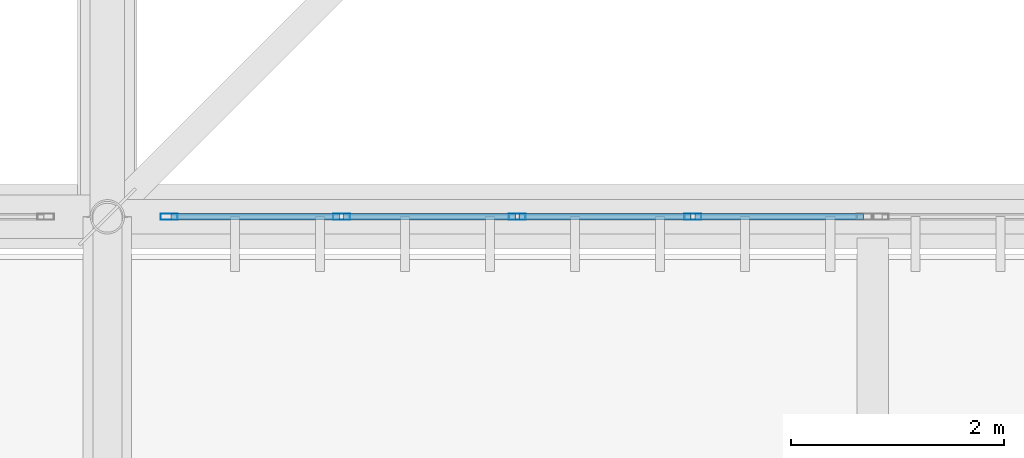
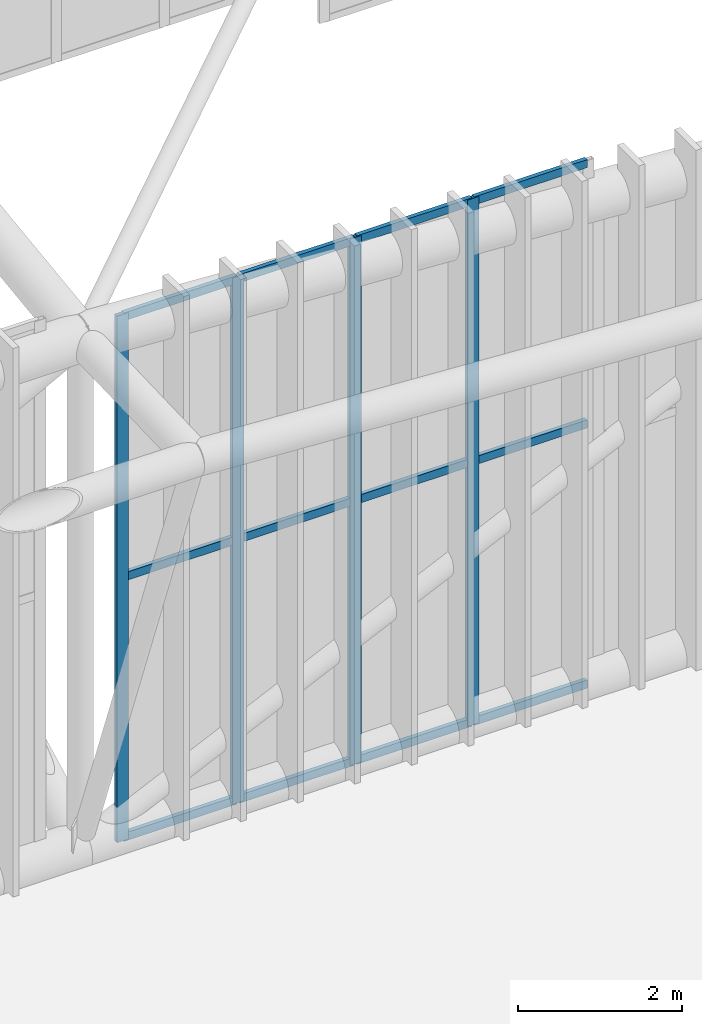
# One storey, part 79 of 397: 16 members, 1 element without a shape of its own.
"""IFC4 building model written with IfcOpenShell, lengths in metres."""

from ifc_helpers import new_model, si_unit, direction, frame, origin, origin_2d, place, context, subcontext, project, spatial, hollow_rectangle, extrude, material, material_profile, profile_set, type_object, element, aggregate, save


model = new_model("IFC4")

# Units and contexts
model_context = context("Model", 3, precision=1e-05, world=origin(), true_north=direction((0.0, 1.0)))
body_context = subcontext(model_context, "Body", "Model", "MODEL_VIEW")
ifc_project = project(units=[si_unit("LENGTHUNIT", "METRE"), si_unit("AREAUNIT", "SQUARE_METRE"), si_unit("VOLUMEUNIT", "CUBIC_METRE"), si_unit("PLANEANGLEUNIT", "RADIAN"), si_unit("MASSUNIT", "GRAM", prefix="KILO")], contexts=[model_context])

# Site, building, storey
site_placement = place(None, origin())
site = spatial("IfcSite", under=ifc_project, at=site_placement, CompositionType="ELEMENT")
building_placement = place(site_placement, origin())
building = spatial("IfcBuilding", under=site, at=building_placement, Name="Qandorah Velis Arena", CompositionType="ELEMENT")
storey_placement = place(building_placement, frame((0.0, 0.0, 27.5)))
storey = spatial("IfcBuildingStorey", under=building, at=storey_placement, Name="RF", CompositionType="ELEMENT", Elevation=27.5)

# Curtain wall, members
ifc_material_1 = material(Name="Solar-control low-E double glazing", Category="glass")
curtain_wall_type = type_object("IfcCurtainWallType", Name="ARC-CW-SYS21", PredefinedType="USERDEFINED", material=ifc_material_1)
curtain_wall_placement = place(storey_placement, origin())
curtain_wall = element("IfcCurtainWall", 1, at=curtain_wall_placement, inside=storey, type_object=curtain_wall_type, Name="Unitised curtain wall CROWN-3-05S1", ObjectType="UNITISED CURTAIN WALL", PredefinedType="USERDEFINED")
ifc_material_2 = material(Name="Champagne-bronze anodized aluminium 6063-T6", Category="aluminium")
ifc_material_profile_1 = material_profile(ifc_material_2, hollow_rectangle(XDim=0.06005859375, YDim=0.159912109375, WallThickness=0.00341796875, at=origin_2d()), Name="ALU MULLION 60x160")
ifc_profile_set_1 = profile_set([ifc_material_profile_1], Name="Champagne-bronze anodized aluminium 6063-T6")
member_type_1 = type_object("IfcMemberType", Name="ARC-CWM-160", PredefinedType="MULLION", material=ifc_profile_set_1)
member_1_placement = place(storey_placement, frame((72.580078125, 14.39990234375, -0.014892578125), z_axis=(0.0, 0.0, 1.0), x_axis=(0.0, 1.0, 0.0)))
member_1 = element("IfcMember", 2, at=member_1_placement, type_object=member_type_1, Name="CW21 mullion 1", PredefinedType="MULLION", context=body_context, shape_type="SweptSolid", body=[
    extrude(hollow_rectangle(XDim=0.06005859375, YDim=0.159912109375, WallThickness=0.00341796875, at=origin_2d()), origin(), (0.0, 0.0, 1.0), 7.826416015625),
])
member_2_placement = place(storey_placement, frame((74.202392578125, 14.39990234375, -0.014892578125), z_axis=(0.0, 0.0, 1.0), x_axis=(0.0, 1.0, 0.0)))
member_2 = element("IfcMember", 3, at=member_2_placement, type_object=member_type_1, Name="CW21 mullion 2", PredefinedType="MULLION", context=body_context, shape_type="SweptSolid", body=[
    extrude(hollow_rectangle(XDim=0.06005859375, YDim=0.159912109375, WallThickness=0.00341796875, at=origin_2d()), origin(), (0.0, 0.0, 1.0), 7.826416015625),
])
member_3_placement = place(storey_placement, frame((75.85498046875, 14.39990234375, -0.014892578125), z_axis=(0.0, 0.0, 1.0), x_axis=(0.0, 1.0, 0.0)))
member_3 = element("IfcMember", 4, at=member_3_placement, type_object=member_type_1, Name="CW21 mullion 3", PredefinedType="MULLION", context=body_context, shape_type="SweptSolid", body=[
    extrude(hollow_rectangle(XDim=0.06005859375, YDim=0.159912109375, WallThickness=0.00341796875, at=origin_2d()), origin(), (0.0, 0.0, 1.0), 7.826416015625),
])
member_4_placement = place(storey_placement, frame((77.507568359375, 14.39990234375, -0.014892578125), z_axis=(0.0, 0.0, 1.0), x_axis=(0.0, 1.0, 0.0)))
member_4 = element("IfcMember", 5, at=member_4_placement, type_object=member_type_1, Name="CW21 mullion 4", PredefinedType="MULLION", context=body_context, shape_type="SweptSolid", body=[
    extrude(hollow_rectangle(XDim=0.06005859375, YDim=0.159912109375, WallThickness=0.00341796875, at=origin_2d()), origin(), (0.0, 0.0, 1.0), 7.826416015625),
])
ifc_material_profile_2 = material_profile(ifc_material_2, hollow_rectangle(XDim=0.06005859375, YDim=0.1201171875, WallThickness=0.0029296875, at=origin_2d()), Name="ALU TRANSOM 60x120")
ifc_profile_set_2 = profile_set([ifc_material_profile_2], Name="Champagne-bronze anodized aluminium 6063-T6")
member_type_2 = type_object("IfcMemberType", Name="ARC-CWT-120", PredefinedType="USERDEFINED", material=ifc_profile_set_2)
member_5_placement = place(storey_placement, frame((72.597900390625, 14.39990234375, 0.030029296875), z_axis=(1.0, 0.0, 0.0), x_axis=(0.0, 1.0, 0.0)))
member_5 = element("IfcMember", 6, at=member_5_placement, type_object=member_type_2, Name="CW21 transom 1.1", ObjectType="TRANSOM", PredefinedType="USERDEFINED", context=body_context, shape_type="SweptSolid", body=[
    extrude(hollow_rectangle(XDim=0.06005859375, YDim=0.1201171875, WallThickness=0.0029296875, at=origin_2d()), origin(), (0.0, 0.0, 1.0), 1.586669921875),
])
member_6_placement = place(storey_placement, frame((72.597900390625, 14.39990234375, 3.898193359375), z_axis=(1.0, 0.0, 0.0), x_axis=(0.0, 1.0, 0.0)))
member_6 = element("IfcMember", 7, at=member_6_placement, type_object=member_type_2, Name="CW21 transom 1.2", ObjectType="TRANSOM", PredefinedType="USERDEFINED", context=body_context, shape_type="SweptSolid", body=[
    extrude(hollow_rectangle(XDim=0.06005859375, YDim=0.1201171875, WallThickness=0.0029296875, at=origin_2d()), origin(), (0.0, 0.0, 1.0), 1.586669921875),
])
member_7_placement = place(storey_placement, frame((72.597900390625, 14.39990234375, 7.7666015625), z_axis=(1.0, 0.0, 0.0), x_axis=(0.0, 1.0, 0.0)))
member_7 = element("IfcMember", 8, at=member_7_placement, type_object=member_type_2, Name="CW21 transom 1.3", ObjectType="TRANSOM", PredefinedType="USERDEFINED", context=body_context, shape_type="SweptSolid", body=[
    extrude(hollow_rectangle(XDim=0.06005859375, YDim=0.1201171875, WallThickness=0.0029296875, at=origin_2d()), origin(), (0.0, 0.0, 1.0), 1.586669921875),
])
member_8_placement = place(storey_placement, frame((74.220458984375, 14.39990234375, 0.030029296875), z_axis=(1.0, 0.0, 0.0), x_axis=(0.0, 1.0, 0.0)))
member_8 = element("IfcMember", 9, at=member_8_placement, type_object=member_type_2, Name="CW21 transom 2.1", ObjectType="TRANSOM", PredefinedType="USERDEFINED", context=body_context, shape_type="SweptSolid", body=[
    extrude(hollow_rectangle(XDim=0.06005859375, YDim=0.1201171875, WallThickness=0.0029296875, at=origin_2d()), origin(), (0.0, 0.0, 1.0), 1.616455078125),
])
member_9_placement = place(storey_placement, frame((74.220458984375, 14.39990234375, 3.898193359375), z_axis=(1.0, 0.0, 0.0), x_axis=(0.0, 1.0, 0.0)))
member_9 = element("IfcMember", 10, at=member_9_placement, type_object=member_type_2, Name="CW21 transom 2.2", ObjectType="TRANSOM", PredefinedType="USERDEFINED", context=body_context, shape_type="SweptSolid", body=[
    extrude(hollow_rectangle(XDim=0.06005859375, YDim=0.1201171875, WallThickness=0.0029296875, at=origin_2d()), origin(), (0.0, 0.0, 1.0), 1.616455078125),
])
member_10_placement = place(storey_placement, frame((74.220458984375, 14.39990234375, 7.7666015625), z_axis=(1.0, 0.0, 0.0), x_axis=(0.0, 1.0, 0.0)))
member_10 = element("IfcMember", 11, at=member_10_placement, type_object=member_type_2, Name="CW21 transom 2.3", ObjectType="TRANSOM", PredefinedType="USERDEFINED", context=body_context, shape_type="SweptSolid", body=[
    extrude(hollow_rectangle(XDim=0.06005859375, YDim=0.1201171875, WallThickness=0.0029296875, at=origin_2d()), origin(), (0.0, 0.0, 1.0), 1.616455078125),
])
member_11_placement = place(storey_placement, frame((75.873046875, 14.39990234375, 0.030029296875), z_axis=(1.0, 0.0, 0.0), x_axis=(0.0, 1.0, 0.0)))
member_11 = element("IfcMember", 12, at=member_11_placement, type_object=member_type_2, Name="CW21 transom 3.1", ObjectType="TRANSOM", PredefinedType="USERDEFINED", context=body_context, shape_type="SweptSolid", body=[
    extrude(hollow_rectangle(XDim=0.06005859375, YDim=0.1201171875, WallThickness=0.0029296875, at=origin_2d()), origin(), (0.0, 0.0, 1.0), 1.616455078125),
])
member_12_placement = place(storey_placement, frame((75.873046875, 14.39990234375, 3.898193359375), z_axis=(1.0, 0.0, 0.0), x_axis=(0.0, 1.0, 0.0)))
member_12 = element("IfcMember", 13, at=member_12_placement, type_object=member_type_2, Name="CW21 transom 3.2", ObjectType="TRANSOM", PredefinedType="USERDEFINED", context=body_context, shape_type="SweptSolid", body=[
    extrude(hollow_rectangle(XDim=0.06005859375, YDim=0.1201171875, WallThickness=0.0029296875, at=origin_2d()), origin(), (0.0, 0.0, 1.0), 1.616455078125),
])
member_13_placement = place(storey_placement, frame((75.873046875, 14.39990234375, 7.7666015625), z_axis=(1.0, 0.0, 0.0), x_axis=(0.0, 1.0, 0.0)))
member_13 = element("IfcMember", 14, at=member_13_placement, type_object=member_type_2, Name="CW21 transom 3.3", ObjectType="TRANSOM", PredefinedType="USERDEFINED", context=body_context, shape_type="SweptSolid", body=[
    extrude(hollow_rectangle(XDim=0.06005859375, YDim=0.1201171875, WallThickness=0.0029296875, at=origin_2d()), origin(), (0.0, 0.0, 1.0), 1.616455078125),
])
member_14_placement = place(storey_placement, frame((77.525390625, 14.39990234375, 0.030029296875), z_axis=(1.0, 0.0, 0.0), x_axis=(0.0, 1.0, 0.0)))
member_14 = element("IfcMember", 15, at=member_14_placement, type_object=member_type_2, Name="CW21 transom 4.1", ObjectType="TRANSOM", PredefinedType="USERDEFINED", context=body_context, shape_type="SweptSolid", body=[
    extrude(hollow_rectangle(XDim=0.06005859375, YDim=0.1201171875, WallThickness=0.0029296875, at=origin_2d()), origin(), (0.0, 0.0, 1.0), 1.586669921875),
])
member_15_placement = place(storey_placement, frame((77.525390625, 14.39990234375, 3.898193359375), z_axis=(1.0, 0.0, 0.0), x_axis=(0.0, 1.0, 0.0)))
member_15 = element("IfcMember", 16, at=member_15_placement, type_object=member_type_2, Name="CW21 transom 4.2", ObjectType="TRANSOM", PredefinedType="USERDEFINED", context=body_context, shape_type="SweptSolid", body=[
    extrude(hollow_rectangle(XDim=0.06005859375, YDim=0.1201171875, WallThickness=0.0029296875, at=origin_2d()), origin(), (0.0, 0.0, 1.0), 1.586669921875),
])
member_16_placement = place(storey_placement, frame((77.525390625, 14.39990234375, 7.7666015625), z_axis=(1.0, 0.0, 0.0), x_axis=(0.0, 1.0, 0.0)))
member_16 = element("IfcMember", 17, at=member_16_placement, type_object=member_type_2, Name="CW21 transom 4.3", ObjectType="TRANSOM", PredefinedType="USERDEFINED", context=body_context, shape_type="SweptSolid", body=[
    extrude(hollow_rectangle(XDim=0.06005859375, YDim=0.1201171875, WallThickness=0.0029296875, at=origin_2d()), origin(), (0.0, 0.0, 1.0), 1.586669921875),
])
aggregate(curtain_wall, [member_1, member_2, member_3, member_4, member_5, member_6, member_7, member_8, member_9, member_10, member_11, member_12, member_13, member_14, member_15, member_16])

save(model, "model.ifc")
